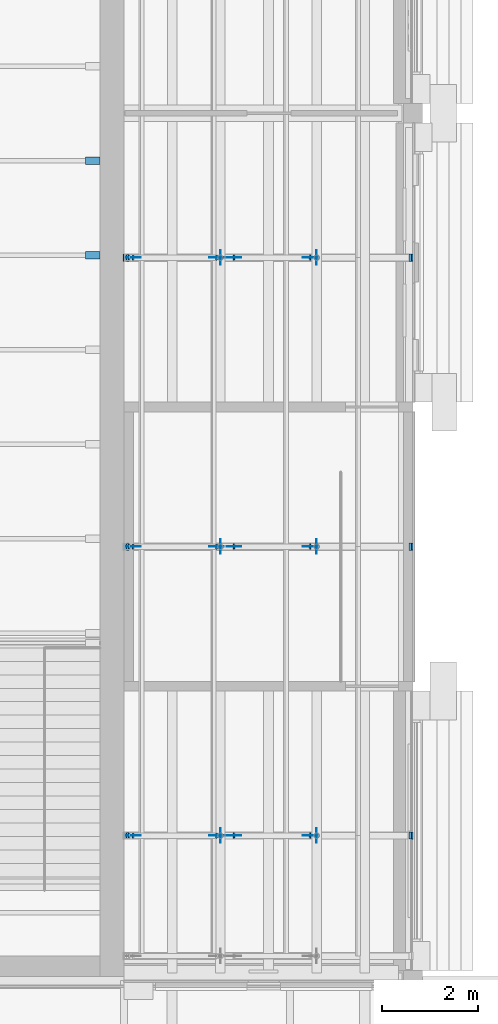
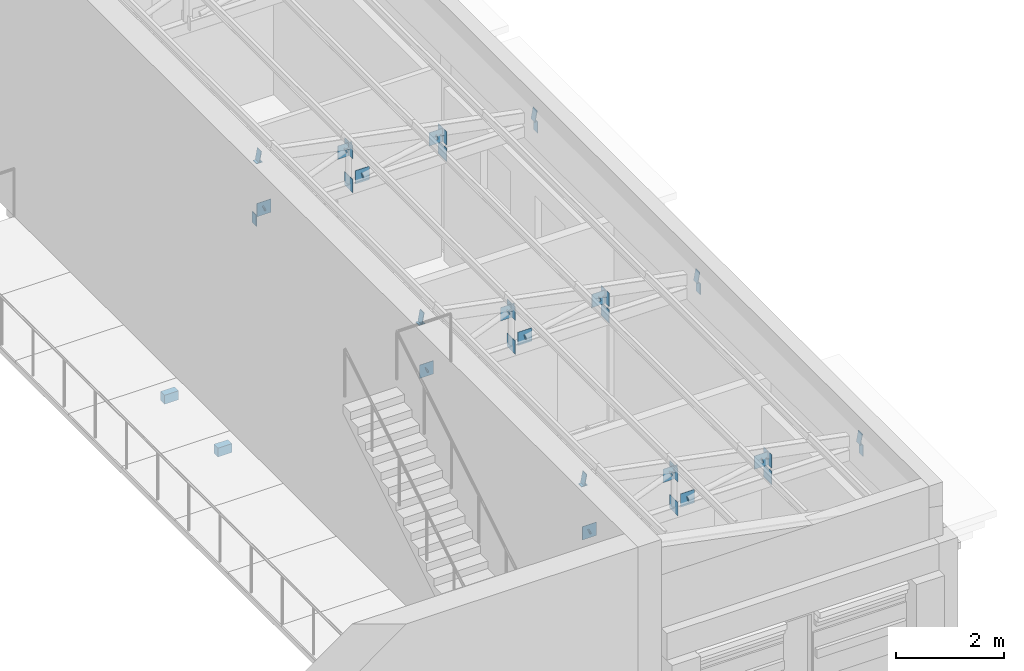
# One storey, part 100 of 118: 57 discrete accessories.
"""IFC4 building model written with IfcOpenShell, lengths in metres."""

from ifc_helpers import new_model, si_unit, direction, frame, origin, origin_2d, place, context, subcontext, project, spatial, rectangle, circle, extrude, material, material_profile, profile_set, type_object, element, save


model = new_model("IFC4")

# Units and contexts
model_context = context("Model", 3, precision=1e-05, world=origin(), true_north=direction((0.0, 1.0)))
body_context = subcontext(model_context, "Body", "Model", "MODEL_VIEW")
ifc_project = project(units=[si_unit("LENGTHUNIT", "METRE"), si_unit("AREAUNIT", "SQUARE_METRE"), si_unit("VOLUMEUNIT", "CUBIC_METRE"), si_unit("PLANEANGLEUNIT", "RADIAN"), si_unit("MASSUNIT", "GRAM", prefix="KILO")], contexts=[model_context])

# Site, building, storey
site_placement = place(None, origin())
site = spatial("IfcSite", under=ifc_project, at=site_placement, CompositionType="ELEMENT")
building_placement = place(site_placement, origin())
building = spatial("IfcBuilding", under=site, at=building_placement, Name="Saffron Lane Theatres", CompositionType="ELEMENT")
storey_placement = place(building_placement, frame((0.0, 0.0, 16.5)))
storey = spatial("IfcBuildingStorey", under=building, at=storey_placement, Name="L03", CompositionType="ELEMENT", Elevation=16.5)

# Discrete accessories
ifc_material_1 = material(Name="Steel Grade 350", Category="steel")
ifc_material_profile_1 = material_profile(ifc_material_1, rectangle(XDim=0.300048828125, YDim=0.300048828125, at=origin_2d()))
ifc_profile_set_1 = profile_set([ifc_material_profile_1], Name="Steel Grade 350")
discrete_accessory_type_1 = type_object("IfcDiscreteAccessoryType", Name="ST-GUSSET CONNECTION PLATE", PredefinedType="BRACKET", material=ifc_profile_set_1)
for number, where, z_axis, x_axis, name in (
    (1, (51.9951171875, 33.0, 4.75), (1.0, 0.0, 0.0), (0.0, 1.0, 0.0), "GB385"),
    (2, (51.9951171875, 33.0, 5.127197265625), (1.0, 0.0, 0.0), (0.0, 1.0, 0.0), "GB386"),
    (3, (49.9951171875, 33.0, 4.75), (1.0, 0.0, 0.0), (0.0, 1.0, 0.0), "GB387"),
    (4, (49.9951171875, 33.0, 5.515625), (1.0, 0.0, 0.0), (0.0, 1.0, 0.0), "GB388"),
    (5, (48.19482421875, 32.9951171875, 4.802978515625), (0.0, 1.0, 0.0), (-1.0, 0.0, 0.0), "GB389"),
    (6, (49.917724609375, 32.9951171875, 5.493896484375), (0.0, 1.0, 0.0), (-1.0, 0.0, 0.0), "GB390"),
    (7, (50.288818359375, 32.9951171875, 4.80615234375), (0.0, 1.0, 0.0), (-1.0, 0.0, 0.0), "GB391"),
    (8, (51.861083984375, 32.9951171875, 5.111328125), (0.0, 1.0, 0.0), (-1.0, 0.0, 0.0), "GB392"),
    (9, (51.9951171875, 39.0, 4.75), (1.0, 0.0, 0.0), (0.0, 1.0, 0.0), "GB393"),
    (10, (51.9951171875, 39.0, 5.127197265625), (1.0, 0.0, 0.0), (0.0, 1.0, 0.0), "GB394"),
    (11, (49.9951171875, 39.0, 4.75), (1.0, 0.0, 0.0), (0.0, 1.0, 0.0), "GB395"),
    (12, (49.9951171875, 39.0, 5.515625), (1.0, 0.0, 0.0), (0.0, 1.0, 0.0), "GB396"),
    (13, (48.19482421875, 38.9951171875, 4.802978515625), (0.0, 1.0, 0.0), (-1.0, 0.0, 0.0), "GB397"),
    (14, (49.917724609375, 38.9951171875, 5.493896484375), (0.0, 1.0, 0.0), (-1.0, 0.0, 0.0), "GB398"),
    (15, (50.288818359375, 38.9951171875, 4.80615234375), (0.0, 1.0, 0.0), (-1.0, 0.0, 0.0), "GB399"),
    (16, (51.861083984375, 38.9951171875, 5.111328125), (0.0, 1.0, 0.0), (-1.0, 0.0, 0.0), "GB400"),
    (17, (51.9951171875, 45.0, 4.75), (1.0, 0.0, 0.0), (0.0, 1.0, 0.0), "GB401"),
    (18, (51.9951171875, 45.0, 5.127197265625), (1.0, 0.0, 0.0), (0.0, 1.0, 0.0), "GB402"),
    (19, (49.9951171875, 45.0, 4.75), (1.0, 0.0, 0.0), (0.0, 1.0, 0.0), "GB403"),
    (20, (49.9951171875, 45.0, 5.515625), (1.0, 0.0, 0.0), (0.0, 1.0, 0.0), "GB404"),
    (21, (48.19482421875, 44.9951171875, 4.802978515625), (0.0, 1.0, 0.0), (-1.0, 0.0, 0.0), "GB405"),
    (22, (49.917724609375, 44.9951171875, 5.493896484375), (0.0, 1.0, 0.0), (-1.0, 0.0, 0.0), "GB406"),
    (23, (50.288818359375, 44.9951171875, 4.80615234375), (0.0, 1.0, 0.0), (-1.0, 0.0, 0.0), "GB407"),
    (24, (51.861083984375, 44.9951171875, 5.111328125), (0.0, 1.0, 0.0), (-1.0, 0.0, 0.0), "GB408"),
):
    element("IfcDiscreteAccessory", number, at=place(storey_placement, frame(where, z_axis=z_axis, x_axis=x_axis)), inside=storey, type_object=discrete_accessory_type_1, Name=name, PredefinedType="BRACKET", context=body_context, shape_type="SweptSolid", body=[
        extrude(rectangle(XDim=0.300048828125, YDim=0.300048828125, at=origin_2d()), origin(), (0.0, 0.0, 1.0), 0.009765625),
    ])
ifc_material_2 = material(Name="Steel Grade 350", Category="steel")
ifc_material_profile_2 = material_profile(ifc_material_2, circle(Radius=0.05712890625, at=origin_2d()))
ifc_profile_set_2 = profile_set([ifc_material_profile_2], Name="Steel Grade 350")
discrete_accessory_type_2 = type_object("IfcDiscreteAccessoryType", Name="ST-STEEL END CAP 114.3x6.0 CHS", PredefinedType="ANCHORPLATE", material=ifc_profile_set_2)
discrete_accessory_1_placement = place(storey_placement, frame((52.0, 33.0, 5.127197265625), z_axis=(0.0, 0.0, 1.0), x_axis=(1.0, 0.0, 0.0)))
element("IfcDiscreteAccessory", 25, at=discrete_accessory_1_placement, inside=storey, type_object=discrete_accessory_type_2, Name="EC533", PredefinedType="ANCHORPLATE", context=body_context, shape_type="SweptSolid", body=[
    extrude(circle(Radius=0.05712890625, at=origin_2d()), origin(), (0.0, 0.0, 1.0), 0.01220703125),
])
for number, where, z_axis, x_axis, name in (
    (26, (50.0, 33.0, 5.515625), (0.0, 0.0, 1.0), (1.0, 0.0, 0.0), "EC534"),
    (27, (48.18359375, 33.0, 4.798583984375), (0.931242779706, 0.0, 0.364399348581), (0.0, 1.0, 0.0), "EC535"),
    (28, (49.917724609375, 33.0, 5.493896484375), (0.931242779706, 0.0, 0.364399348581), (0.0, 1.0, 0.0), "EC536"),
    (29, (50.277099609375, 33.0, 4.8037109375), (0.978980419738, 0.0, 0.203954254112), (0.0, 1.0, 0.0), "EC537"),
    (30, (51.861083984375, 33.0, 5.111328125), (0.978980419738, 0.0, 0.203954254112), (0.0, 1.0, 0.0), "EC538"),
):
    element("IfcDiscreteAccessory", number, at=place(storey_placement, frame(where, z_axis=z_axis, x_axis=x_axis)), inside=storey, type_object=discrete_accessory_type_2, Name=name, PredefinedType="ANCHORPLATE", context=body_context, shape_type="SweptSolid", body=[
        extrude(circle(Radius=0.05712890625, at=origin_2d()), origin(), (0.0, 0.0, 1.0), 0.011962890625),
    ])
discrete_accessory_2_placement = place(storey_placement, frame((52.0, 39.0, 5.127197265625), z_axis=(0.0, 0.0, 1.0), x_axis=(1.0, 0.0, 0.0)))
element("IfcDiscreteAccessory", 31, at=discrete_accessory_2_placement, inside=storey, type_object=discrete_accessory_type_2, Name="EC544", PredefinedType="ANCHORPLATE", context=body_context, shape_type="SweptSolid", body=[
    extrude(circle(Radius=0.05712890625, at=origin_2d()), origin(), (0.0, 0.0, 1.0), 0.01220703125),
])
for number, where, z_axis, x_axis, name in (
    (32, (50.0, 39.0, 5.515625), (0.0, 0.0, 1.0), (1.0, 0.0, 0.0), "EC545"),
    (33, (48.18359375, 39.0, 4.798583984375), (0.931242779706, 0.0, 0.364399348581), (0.0, 1.0, 0.0), "EC546"),
    (34, (49.917724609375, 39.0, 5.493896484375), (0.931242779706, 0.0, 0.364399348581), (0.0, 1.0, 0.0), "EC547"),
    (35, (50.277099609375, 39.0, 4.8037109375), (0.978980419738, 0.0, 0.203954254112), (0.0, 1.0, 0.0), "EC548"),
    (36, (51.861083984375, 39.0, 5.111328125), (0.978980419738, 0.0, 0.203954254112), (0.0, 1.0, 0.0), "EC549"),
):
    element("IfcDiscreteAccessory", number, at=place(storey_placement, frame(where, z_axis=z_axis, x_axis=x_axis)), inside=storey, type_object=discrete_accessory_type_2, Name=name, PredefinedType="ANCHORPLATE", context=body_context, shape_type="SweptSolid", body=[
        extrude(circle(Radius=0.05712890625, at=origin_2d()), origin(), (0.0, 0.0, 1.0), 0.011962890625),
    ])
discrete_accessory_3_placement = place(storey_placement, frame((52.0, 45.0, 5.127197265625), z_axis=(0.0, 0.0, 1.0), x_axis=(1.0, 0.0, 0.0)))
element("IfcDiscreteAccessory", 37, at=discrete_accessory_3_placement, inside=storey, type_object=discrete_accessory_type_2, Name="EC555", PredefinedType="ANCHORPLATE", context=body_context, shape_type="SweptSolid", body=[
    extrude(circle(Radius=0.05712890625, at=origin_2d()), origin(), (0.0, 0.0, 1.0), 0.01220703125),
])
for number, where, z_axis, x_axis, name in (
    (38, (50.0, 45.0, 5.515625), (0.0, 0.0, 1.0), (1.0, 0.0, 0.0), "EC556"),
    (39, (48.18359375, 45.0, 4.798583984375), (0.931242779706, 0.0, 0.364399348581), (0.0, 1.0, 0.0), "EC557"),
    (40, (49.917724609375, 45.0, 5.493896484375), (0.931242779706, 0.0, 0.364399348581), (0.0, 1.0, 0.0), "EC558"),
    (41, (50.277099609375, 45.0, 4.8037109375), (0.978980419738, 0.0, 0.203954254112), (0.0, 1.0, 0.0), "EC559"),
    (42, (51.861083984375, 45.0, 5.111328125), (0.978980419738, 0.0, 0.203954254112), (0.0, 1.0, 0.0), "EC560"),
):
    element("IfcDiscreteAccessory", number, at=place(storey_placement, frame(where, z_axis=z_axis, x_axis=x_axis)), inside=storey, type_object=discrete_accessory_type_2, Name=name, PredefinedType="ANCHORPLATE", context=body_context, shape_type="SweptSolid", body=[
        extrude(circle(Radius=0.05712890625, at=origin_2d()), origin(), (0.0, 0.0, 1.0), 0.011962890625),
    ])
ifc_material_3 = material(Name="Steel Grade 350", Category="steel")
ifc_material_profile_3 = material_profile(ifc_material_3, rectangle(XDim=0.125, YDim=0.125, at=origin_2d()))
ifc_profile_set_3 = profile_set([ifc_material_profile_3], Name="Steel Grade 350")
discrete_accessory_type_3 = type_object("IfcDiscreteAccessoryType", Name="ST-STEEL END CAP 125x125x6 SHS", PredefinedType="ANCHORPLATE", material=ifc_profile_set_3)
for number, where, z_axis, x_axis, name in (
    (43, (48.0625, 33.0, 5.890869140625), (0.0, 0.0, 1.0), (1.0, 0.0, 0.0), "EC532"),
    (44, (48.0625, 39.0, 5.890869140625), (0.0, 0.0, 1.0), (1.0, 0.0, 0.0), "EC543"),
    (45, (48.0625, 45.0, 5.890869140625), (0.0, 0.0, 1.0), (1.0, 0.0, 0.0), "EC554"),
):
    element("IfcDiscreteAccessory", number, at=place(storey_placement, frame(where, z_axis=z_axis, x_axis=x_axis)), inside=storey, type_object=discrete_accessory_type_3, Name=name, PredefinedType="ANCHORPLATE", context=body_context, shape_type="SweptSolid", body=[
        extrude(rectangle(XDim=0.125, YDim=0.125, at=origin_2d()), origin(), (0.0, 0.0, 1.0), 0.011962890625),
    ])
ifc_material_4 = material(Name="Steel Grade 350", Category="steel")
ifc_material_profile_4 = material_profile(ifc_material_4, rectangle(XDim=0.14990234375, YDim=0.25, at=origin_2d()))
ifc_profile_set_4 = profile_set([ifc_material_profile_4], Name="Steel Grade 350")
discrete_accessory_type_4 = type_object("IfcDiscreteAccessoryType", Name="ST-STEEL END CAP 250x150x9 RHS", PredefinedType="ANCHORPLATE", material=ifc_profile_set_4)
for number, where, z_axis, x_axis, name in (
    (46, (53.991943359375, 33.0, 4.625), (-1.0, 0.0, 0.0), (0.0, -1.0, 0.0), "EC528"),
    (47, (53.9580078125, 33.0, 4.885498046875), (-0.982872186934, 0.0, 0.18428853505), (0.0, -1.0, 0.0), "EC530"),
):
    element("IfcDiscreteAccessory", number, at=place(storey_placement, frame(where, z_axis=z_axis, x_axis=x_axis)), inside=storey, type_object=discrete_accessory_type_4, Name=name, PredefinedType="ANCHORPLATE", context=body_context, shape_type="SweptSolid", body=[
        extrude(rectangle(XDim=0.14990234375, YDim=0.25, at=origin_2d()), origin(), (0.0, 0.0, 1.0), 0.011962890625),
    ])
discrete_accessory_4_placement = place(storey_placement, frame((48.08642578125, 33.0, 6.02587890625), z_axis=(-0.983547166232, 0.0, 0.180651520328), x_axis=(0.0, -1.0, 0.0)))
element("IfcDiscreteAccessory", 48, at=discrete_accessory_4_placement, inside=storey, type_object=discrete_accessory_type_4, Name="EC531", PredefinedType="ANCHORPLATE", context=body_context, shape_type="SweptSolid", body=[
    extrude(rectangle(XDim=0.14990234375, YDim=0.25, at=origin_2d()), origin(), (0.0, 0.0, 1.0), 0.01220703125),
])
for number, where, z_axis, x_axis, name in (
    (49, (53.991943359375, 39.0, 4.625), (-1.0, 0.0, 0.0), (0.0, -1.0, 0.0), "EC539"),
    (50, (53.9580078125, 39.0, 4.885498046875), (-0.982872186934, 0.0, 0.18428853505), (0.0, -1.0, 0.0), "EC541"),
):
    element("IfcDiscreteAccessory", number, at=place(storey_placement, frame(where, z_axis=z_axis, x_axis=x_axis)), inside=storey, type_object=discrete_accessory_type_4, Name=name, PredefinedType="ANCHORPLATE", context=body_context, shape_type="SweptSolid", body=[
        extrude(rectangle(XDim=0.14990234375, YDim=0.25, at=origin_2d()), origin(), (0.0, 0.0, 1.0), 0.011962890625),
    ])
discrete_accessory_5_placement = place(storey_placement, frame((48.08642578125, 39.0, 6.02587890625), z_axis=(-0.983547166232, 0.0, 0.180651520328), x_axis=(0.0, -1.0, 0.0)))
element("IfcDiscreteAccessory", 51, at=discrete_accessory_5_placement, inside=storey, type_object=discrete_accessory_type_4, Name="EC542", PredefinedType="ANCHORPLATE", context=body_context, shape_type="SweptSolid", body=[
    extrude(rectangle(XDim=0.14990234375, YDim=0.25, at=origin_2d()), origin(), (0.0, 0.0, 1.0), 0.01220703125),
])
for number, where, z_axis, x_axis, name in (
    (52, (53.991943359375, 45.0, 4.625), (-1.0, 0.0, 0.0), (0.0, -1.0, 0.0), "EC550"),
    (53, (48.0, 45.0, 4.625), (-1.0, 0.0, 0.0), (0.0, -1.0, 0.0), "EC551"),
    (54, (53.9580078125, 45.0, 4.885498046875), (-0.982872186934, 0.0, 0.18428853505), (0.0, -1.0, 0.0), "EC552"),
):
    element("IfcDiscreteAccessory", number, at=place(storey_placement, frame(where, z_axis=z_axis, x_axis=x_axis)), inside=storey, type_object=discrete_accessory_type_4, Name=name, PredefinedType="ANCHORPLATE", context=body_context, shape_type="SweptSolid", body=[
        extrude(rectangle(XDim=0.14990234375, YDim=0.25, at=origin_2d()), origin(), (0.0, 0.0, 1.0), 0.011962890625),
    ])
discrete_accessory_6_placement = place(storey_placement, frame((48.08642578125, 45.0, 6.02587890625), z_axis=(-0.983547166232, 0.0, 0.180651520328), x_axis=(0.0, -1.0, 0.0)))
element("IfcDiscreteAccessory", 55, at=discrete_accessory_6_placement, inside=storey, type_object=discrete_accessory_type_4, Name="EC553", PredefinedType="ANCHORPLATE", context=body_context, shape_type="SweptSolid", body=[
    extrude(rectangle(XDim=0.14990234375, YDim=0.25, at=origin_2d()), origin(), (0.0, 0.0, 1.0), 0.01220703125),
])
for number, where, z_axis, x_axis, name in (
    (56, (47.35009765625, 45.050048828125, -0.44775390625), (0.0, 0.0, 1.0), (1.0, 0.0, 0.0), "FKE16.5-6"),
    (57, (47.35009765625, 47.012451171875, -0.44775390625), (0.0, 0.0, 1.0), (1.0, 0.0, 0.0), "FKE16.5-7"),
):
    element("IfcDiscreteAccessory", number, at=place(storey_placement, frame(where, z_axis=z_axis, x_axis=x_axis)), inside=storey, Name=name, PredefinedType="BRACKET", context=body_context, shape_type="SweptSolid", body=[
        extrude(rectangle(XDim=0.300048828125, YDim=0.14990234375, at=origin_2d()), origin(), (0.0, 0.0, 1.0), 0.199951171875),
    ])

save(model, "model.ifc")
